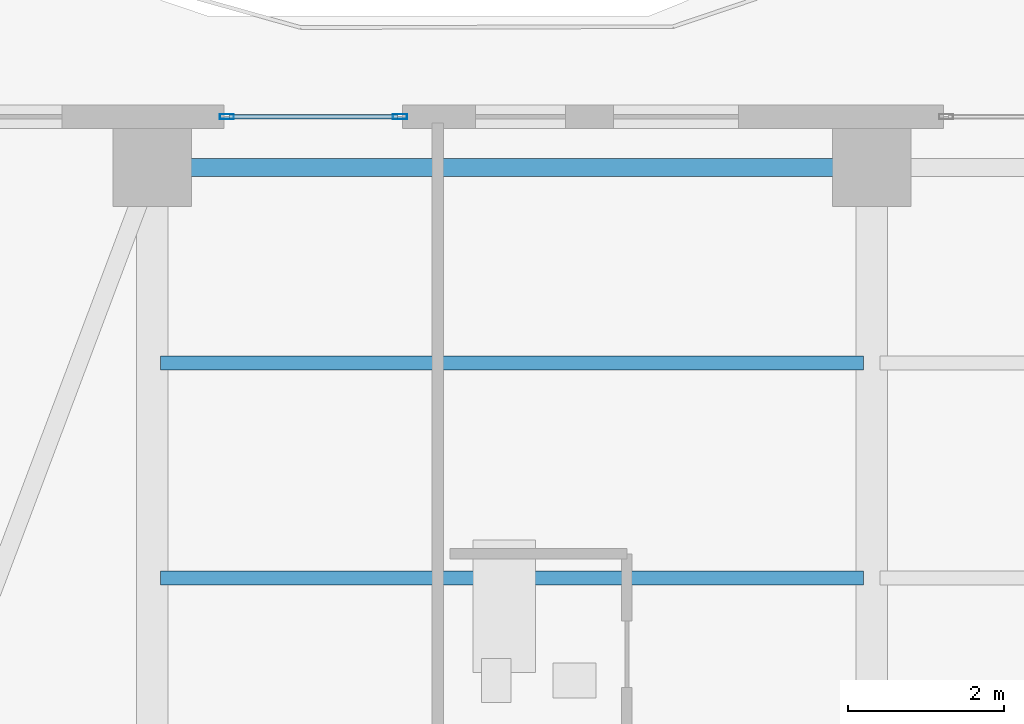
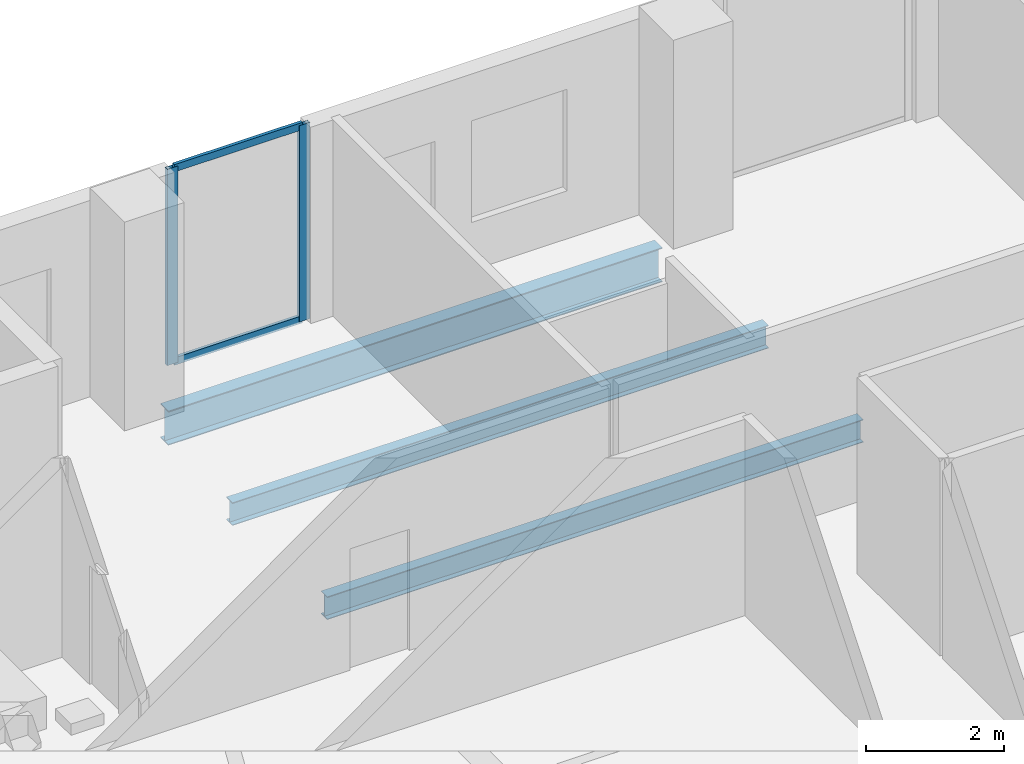
# One storey, part 13 of 25: 4 members, 3 beams, 1 element without a shape of its own.
"""IFC4 building model written with IfcOpenShell, lengths in metres."""

import ifcopenshell
import ifcopenshell.guid

model = None  # the IFC model being written
_history = None  # IfcOwnerHistory: only IFC2X3 demands one
_inside = {}  # id of a spatial element -> (the spatial element, [elements in it])
_under = {}  # id of a project, library or spatial element -> (it, [spatial elements below it])
_declared = {}  # id of a project -> (the project, [libraries it declares])
_typed = {}  # id of a type object -> (the type object, [elements of that type])
_made_of = {}  # id of a material, layer set ... -> (it, [elements and type objects made of it])


def new_model(schema):
    """Start an empty IFC model of exactly this schema.

    Asked for "IFC4X3", IfcOpenShell would pick the latest addendum, in which some entities
    have other attributes; the version numbers below select the first issue.
    IFC2X3 requires an IfcOwnerHistory on every rooted entity: one is made here for all.
    """
    global model, _history
    if schema == "IFC4X3":
        model = ifcopenshell.file(schema_version=(4, 3, 0, 0))
    else:
        model = ifcopenshell.file(schema=schema)
    _inside.clear()
    _under.clear()
    _declared.clear()
    _typed.clear()
    _made_of.clear()
    _history = None
    if model.schema == "IFC2X3":
        org = make("IfcOrganization", Name="unknown")
        user = make(
            "IfcPersonAndOrganization",
            ThePerson=make("IfcPerson", FamilyName="unknown"),
            TheOrganization=org,
        )
        app = make(
            "IfcApplication",
            ApplicationDeveloper=org,
            Version="unknown",
            ApplicationFullName="unknown",
            ApplicationIdentifier="unknown",
        )
        _history = make(
            "IfcOwnerHistory",
            OwningUser=user,
            OwningApplication=app,
            ChangeAction="ADDED",
            CreationDate=0,
        )
    return model


def make(cls, **values):
    """One entity of the class cls with the attributes given. An attribute that is None is left unset."""
    return model.create_entity(
        cls, **{name: value for name, value in values.items() if value is not None}
    )


def rooted(cls, **values):
    """An entity with a GlobalId (a new one), such as an element, a storey or a relation."""
    return make(cls, GlobalId=ifcopenshell.guid.new(), OwnerHistory=_history, **values)


def si_unit(unit_type, name, prefix=None):
    """IfcSIUnit, for example si_unit("LENGTHUNIT", "METRE", prefix="MILLI")."""
    return make("IfcSIUnit", UnitType=unit_type, Prefix=prefix, Name=name)


def assignment(units):
    """IfcUnitAssignment: the units of a project."""
    return None if units is None else make("IfcUnitAssignment", Units=units)


def point(xyz):
    """IfcCartesianPoint."""
    return None if xyz is None else make("IfcCartesianPoint", Coordinates=xyz)


def direction(xyz):
    """IfcDirection."""
    return None if xyz is None else make("IfcDirection", DirectionRatios=xyz)


def frame(location, z_axis=None, x_axis=None):
    """IfcAxis2Placement3D, a coordinate frame: its origin and axes. An axis left out is left unset."""
    return make(
        "IfcAxis2Placement3D",
        Location=point(location),
        Axis=direction(z_axis),
        RefDirection=direction(x_axis),
    )


def frame_2d(location, x_axis=None):
    """IfcAxis2Placement2D, a coordinate frame in the plane: its origin and x axis."""
    return make(
        "IfcAxis2Placement2D", Location=point(location), RefDirection=direction(x_axis)
    )


def origin():
    """The frame at (0, 0, 0) with its axes left unset."""
    return frame((0.0, 0.0, 0.0))


def origin_2d():
    """The frame at (0, 0) in the plane with its x axis left unset."""
    return frame_2d((0.0, 0.0))


def place(relative_to, where):
    """IfcLocalPlacement: puts the frame where relative to a parent placement (None: the world)."""
    return make(
        "IfcLocalPlacement", PlacementRelTo=relative_to, RelativePlacement=where
    )


def context(
    kind, dimensions, precision=None, world=None, true_north=None, identifier=None
):
    """IfcGeometricRepresentationContext, for example the 3D "Model" context."""
    return make(
        "IfcGeometricRepresentationContext",
        ContextIdentifier=identifier,
        ContextType=kind,
        CoordinateSpaceDimension=dimensions,
        Precision=precision,
        WorldCoordinateSystem=world,
        TrueNorth=true_north,
    )


def subcontext(parent, identifier, kind, view, scale=None):
    """IfcGeometricRepresentationSubContext, for example "Body" below "Model"."""
    return make(
        "IfcGeometricRepresentationSubContext",
        ContextIdentifier=identifier,
        ContextType=kind,
        ParentContext=parent,
        TargetScale=scale,
        TargetView=view,
    )


def project(units=None, contexts=None):
    """IfcProject with its units and contexts."""
    return rooted(
        "IfcProject",
        Name="project",
        RepresentationContexts=contexts,
        UnitsInContext=assignment(units),
    )


def spatial(cls, under=None, at=None, **own):
    """A site, building, storey or space (cls), placed at a placement, below another one or the project."""
    s = rooted(cls, ObjectPlacement=at, **own)
    if under is not None:
        _under.setdefault(under.id(), (under, []))[1].append(s)
    return s


def profile(cls, at=None, kind="AREA", **sizes):
    """A parametric profile (cls). Its sizes go by their IFC names, for example OverallWidth=200.0."""
    return make(cls, ProfileType=kind, Position=at, **sizes)


def hollow_rectangle(**sizes):
    """IfcRectangleHollowProfileDef."""
    return profile("IfcRectangleHollowProfileDef", **sizes)


def i_section(**sizes):
    """IfcIShapeProfileDef."""
    return profile("IfcIShapeProfileDef", **sizes)


def extrude(swept, where, along, depth):
    """IfcExtrudedAreaSolid: the profile swept, set in the frame where, extruded along a direction by depth."""
    return make(
        "IfcExtrudedAreaSolid",
        SweptArea=swept,
        Position=where,
        ExtrudedDirection=direction(along),
        Depth=depth,
    )


def shape(context_of_items, identifier, shape_type, items):
    """IfcShapeRepresentation: the items that make up one representation, for example the "Body"."""
    return make(
        "IfcShapeRepresentation",
        ContextOfItems=context_of_items,
        RepresentationIdentifier=identifier,
        RepresentationType=shape_type,
        Items=items,
    )


def material(Name=None, Category=None):
    """IfcMaterial."""
    return make("IfcMaterial", Name=Name, Category=Category)


def layer(
    of_material, thickness, ventilated=None, Name=None, Category=None, Priority=None
):
    """IfcMaterialLayer: one layer of a wall or slab, of a material (None: an air gap)."""
    return make(
        "IfcMaterialLayer",
        Material=of_material,
        LayerThickness=thickness,
        IsVentilated=ventilated,
        Name=Name,
        Category=Category,
        Priority=Priority,
    )


def layer_set(layers, Name=None):
    """IfcMaterialLayerSet."""
    return make("IfcMaterialLayerSet", MaterialLayers=layers, LayerSetName=Name)


def material_profile(
    of_material, cross_section, Name=None, Category=None, Priority=None
):
    """IfcMaterialProfile: a cross section and its material."""
    return make(
        "IfcMaterialProfile",
        Name=Name,
        Material=of_material,
        Profile=cross_section,
        Priority=Priority,
        Category=Category,
    )


def profile_set(profiles, Name=None, composite=None):
    """IfcMaterialProfileSet."""
    return make(
        "IfcMaterialProfileSet",
        Name=Name,
        MaterialProfiles=profiles,
        CompositeProfile=composite,
    )


def made_of(thing, what):
    """Note that an element or type object is made of a material, layer set ...; save() writes the relation."""
    if what is not None:
        _made_of.setdefault(what.id(), (what, []))[1].append(thing)
    return thing


def type_object(cls, material=None, **own):
    """A type object (cls), such as IfcWallType, which elements share."""
    return made_of(rooted(cls, **own), material)


def element(
    cls,
    number,
    at=None,
    inside=None,
    cuts=None,
    type_object=None,
    material=None,
    context=None,
    identifier="Body",
    shape_type=None,
    held_by="IfcProductDefinitionShape",
    body=None,
    shapes=None,
    **own,
):
    """One element of the class cls, such as IfcWall. Its Tag is "e" and its number.

    at: its placement. inside: the storey or other place that contains it. cuts: it is an
    opening in that element (IfcRelVoidsElement). A single representation is given by context,
    identifier, shape_type and body (its items); several are given by shapes. held_by: the class
    of the entity that holds the representations. save() writes the other relations.
    """
    e = rooted(cls, Tag="e%d" % number, ObjectPlacement=at, **own)
    if body is not None:
        shapes = [shape(context, identifier, shape_type, body)]
    if shapes is not None:
        e.Representation = make(held_by, Representations=shapes)
    if inside is not None:
        _inside.setdefault(inside.id(), (inside, []))[1].append(e)
    if cuts is not None:
        rooted(
            "IfcRelVoidsElement", RelatingBuildingElement=cuts, RelatedOpeningElement=e
        )
    if type_object is not None:
        _typed.setdefault(type_object.id(), (type_object, []))[1].append(e)
    return made_of(e, material)


def aggregate(whole, parts):
    """IfcRelAggregates: a whole, such as a stair, and the parts it consists of."""
    return rooted("IfcRelAggregates", RelatingObject=whole, RelatedObjects=parts)


def save(model, path):
    """Write the relations noted so far, then the file.

    IfcRelAggregates (storeys below a building ...), IfcRelContainedInSpatialStructure (elements
    in a storey), IfcRelDefinesByType, IfcRelAssociatesMaterial and IfcRelDeclares: one each for
    every whole, place, type object, material and project.
    """
    for whole, parts in _under.values():
        aggregate(whole, parts)
    for where, things in _inside.values():
        rooted(
            "IfcRelContainedInSpatialStructure",
            RelatedElements=things,
            RelatingStructure=where,
        )
    for kind, things in _typed.values():
        rooted("IfcRelDefinesByType", RelatedObjects=things, RelatingType=kind)
    for what, things in _made_of.values():
        rooted("IfcRelAssociatesMaterial", RelatedObjects=things, RelatingMaterial=what)
    for by, libraries in _declared.values():
        rooted("IfcRelDeclares", RelatingContext=by, RelatedDefinitions=libraries)
    model.write(path)


model = new_model("IFC4")

# Units and contexts
model_context = context("Model", 3, precision=1e-05, world=origin(), true_north=direction((0.0, 1.0)))
body_context = subcontext(model_context, "Body", "Model", "MODEL_VIEW")
ifc_project = project(units=[si_unit("LENGTHUNIT", "METRE"), si_unit("AREAUNIT", "SQUARE_METRE"), si_unit("VOLUMEUNIT", "CUBIC_METRE"), si_unit("PLANEANGLEUNIT", "RADIAN"), si_unit("MASSUNIT", "GRAM", prefix="KILO")], contexts=[model_context])

# Site, building, storey
site_placement = place(None, origin())
site = spatial("IfcSite", under=ifc_project, at=site_placement, CompositionType="ELEMENT")
building_placement = place(site_placement, origin())
building = spatial("IfcBuilding", under=site, at=building_placement, Name="Zuhayl Quay Hotel", CompositionType="ELEMENT")
storey_placement = place(building_placement, frame((0.0, 0.0, 250.75)))
storey = spatial("IfcBuildingStorey", under=building, at=storey_placement, Name="L63", CompositionType="ELEMENT", Elevation=250.75)

# Beams
ifc_material_1 = material(Name="Steel ASTM A992 Grade 50", Category="steel")
ifc_material_profile_1 = material_profile(ifc_material_1, i_section(OverallWidth=0.22802734375, OverallDepth=0.60693359375, WebThickness=0.01123046875, FlangeThickness=0.017333984375, at=origin_2d()), Name="W24X76")
ifc_profile_set_1 = profile_set([ifc_material_profile_1], Name="Steel ASTM A992 Grade 50")
beam_type_1 = type_object("IfcBeamType", Name="BM_B3_W24X76", PredefinedType="BEAM", material=ifc_profile_set_1)
beam_placement = place(storey_placement, frame((-5.06005859375, 38.35009765625, -0.5234375), z_axis=(-1.0, 0.0, 0.0), x_axis=(0.0, -1.0, 0.0)))
element("IfcBeam", 1, at=beam_placement, inside=storey, type_object=beam_type_1, Name="L63 Floor Beam RG_L63_09", PredefinedType="BEAM", context=body_context, shape_type="SweptSolid", body=[
    extrude(i_section(OverallWidth=0.22802734375, OverallDepth=0.60693359375, WebThickness=0.01123046875, FlangeThickness=0.017333984375, at=origin_2d()), origin(), (0.0, 0.0, 1.0), 8.280029296875),
])
ifc_material_profile_2 = material_profile(ifc_material_1, i_section(OverallWidth=0.177978515625, OverallDepth=0.404052734375, WebThickness=0.007568359375, FlangeThickness=0.010986328125, at=origin_2d()), Name="W16X36")
ifc_profile_set_2 = profile_set([ifc_material_profile_2], Name="Steel ASTM A992 Grade 50")
beam_type_2 = type_object("IfcBeamType", Name="BM_J3_W16X36", PredefinedType="JOIST", material=ifc_profile_set_2)
for number, where, z_axis, x_axis, name in (
    (2, (-13.694091796875, 33.10009765625, -0.422119140625), (1.0, 0.0, 0.0), (0.0, 1.0, 0.0), "L63 Floor Beam FJ_L63_7_1"),
    (3, (-13.694091796875, 35.85009765625, -0.422119140625), (1.0, 0.0, 0.0), (0.0, 1.0, 0.0), "L63 Floor Beam FJ_L63_8_1"),
):
    element("IfcBeam", number, at=place(storey_placement, frame(where, z_axis=z_axis, x_axis=x_axis)), inside=storey, type_object=beam_type_2, Name=name, PredefinedType="JOIST", context=body_context, shape_type="SweptSolid", body=[
        extrude(i_section(OverallWidth=0.177978515625, OverallDepth=0.404052734375, WebThickness=0.007568359375, FlangeThickness=0.010986328125, at=origin_2d()), origin(), (0.0, 0.0, 1.0), 8.988037109375),
    ])

# Curtain wall, members
ifc_material_2 = material(Name="Anodised Aluminium 6063-T6", Category="aluminium")
ifc_layer = layer(ifc_material_2, 0.169921875, Name="Anodised Aluminium 6063-T6", Category="aluminium")
ifc_layer_set = layer_set([ifc_layer], Name="Anodised Aluminium 6063-T6")
curtain_wall_type = type_object("IfcCurtainWallType", Name="CW_SYS_Z4", PredefinedType="USERDEFINED", material=ifc_layer_set)
curtain_wall_placement = place(storey_placement, origin())
curtain_wall = element("IfcCurtainWall", 4, at=curtain_wall_placement, inside=storey, type_object=curtain_wall_type, Name="L63 Curtain Wall ENV_L63_N_CW1", ObjectType="UNITISED CURTAIN WALL", PredefinedType="USERDEFINED")
ifc_material_3 = material(Name="Black-anodised aluminium 6063-T6", Category="aluminium")
ifc_material_profile_3 = material_profile(ifc_material_3, hollow_rectangle(XDim=0.06494140625, YDim=0.179931640625, WallThickness=0.00341796875, at=origin_2d()), Name="ALU180X65")
ifc_profile_set_3 = profile_set([ifc_material_profile_3], Name="Black-anodised aluminium 6063-T6")
member_type_1 = type_object("IfcMemberType", Name="MB_CW_MUL_180", PredefinedType="MULLION", material=ifc_profile_set_3)
member_1_placement = place(storey_placement, frame((-12.847412109375, 39.0, 0.0), z_axis=(0.0, 0.0, 1.0), x_axis=(0.0, 1.0, 0.0)))
member_1 = element("IfcMember", 5, at=member_1_placement, type_object=member_type_1, Name="CW-Z4 mullion 1", PredefinedType="MULLION", context=body_context, shape_type="SweptSolid", body=[
    extrude(hollow_rectangle(XDim=0.06494140625, YDim=0.179931640625, WallThickness=0.00341796875, at=origin_2d()), origin(), (0.0, 0.0, 1.0), 3.47998046875),
])
member_2_placement = place(storey_placement, frame((-10.632568359375, 39.0, 0.0), z_axis=(0.0, 0.0, 1.0), x_axis=(0.0, 1.0, 0.0)))
member_2 = element("IfcMember", 6, at=member_2_placement, type_object=member_type_1, Name="CW-Z4 mullion 2", PredefinedType="MULLION", context=body_context, shape_type="SweptSolid", body=[
    extrude(hollow_rectangle(XDim=0.06494140625, YDim=0.179931640625, WallThickness=0.00341796875, at=origin_2d()), origin(), (0.0, 0.0, 1.0), 3.47998046875),
])
ifc_material_profile_4 = material_profile(ifc_material_3, hollow_rectangle(XDim=0.054931640625, YDim=0.1298828125, WallThickness=0.0029296875, at=origin_2d()), Name="ALU130X55")
ifc_profile_set_4 = profile_set([ifc_material_profile_4], Name="Black-anodised aluminium 6063-T6")
member_type_2 = type_object("IfcMemberType", Name="MB_CW_TRN_130", PredefinedType="USERDEFINED", material=ifc_profile_set_4)
member_3_placement = place(storey_placement, frame((-12.81494140625, 39.0, 0.027587890625), z_axis=(1.0, 0.0, 0.0), x_axis=(0.0, 1.0, 0.0)))
member_3 = element("IfcMember", 7, at=member_3_placement, type_object=member_type_2, Name="CW-Z4 transom 1.1", ObjectType="TRANSOM", PredefinedType="USERDEFINED", context=body_context, shape_type="SweptSolid", body=[
    extrude(hollow_rectangle(XDim=0.054931640625, YDim=0.1298828125, WallThickness=0.0029296875, at=origin_2d()), origin(), (0.0, 0.0, 1.0), 2.14990234375),
])
member_4_placement = place(storey_placement, frame((-12.81494140625, 39.0, 3.452392578125), z_axis=(1.0, 0.0, 0.0), x_axis=(0.0, 1.0, 0.0)))
member_4 = element("IfcMember", 8, at=member_4_placement, type_object=member_type_2, Name="CW-Z4 transom 1.2", ObjectType="TRANSOM", PredefinedType="USERDEFINED", context=body_context, shape_type="SweptSolid", body=[
    extrude(hollow_rectangle(XDim=0.054931640625, YDim=0.1298828125, WallThickness=0.0029296875, at=origin_2d()), origin(), (0.0, 0.0, 1.0), 2.14990234375),
])
aggregate(curtain_wall, [member_1, member_2, member_3, member_4])

save(model, "model.ifc")
